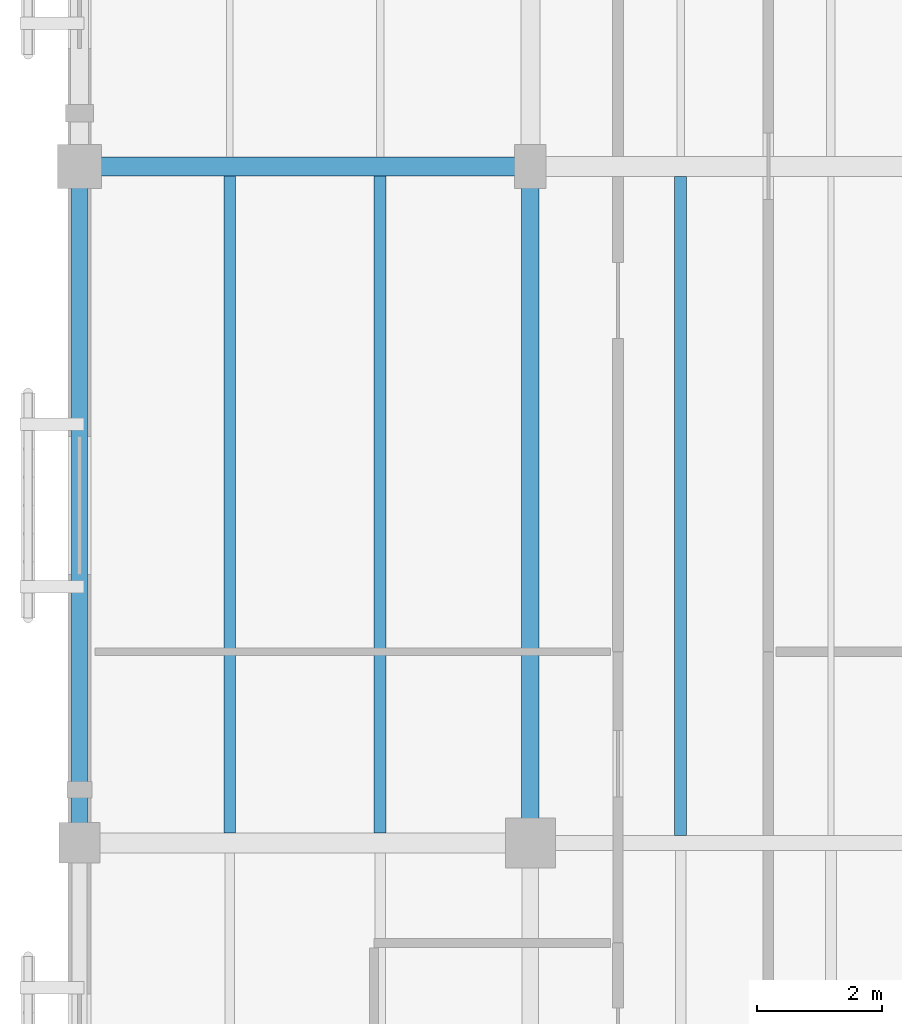
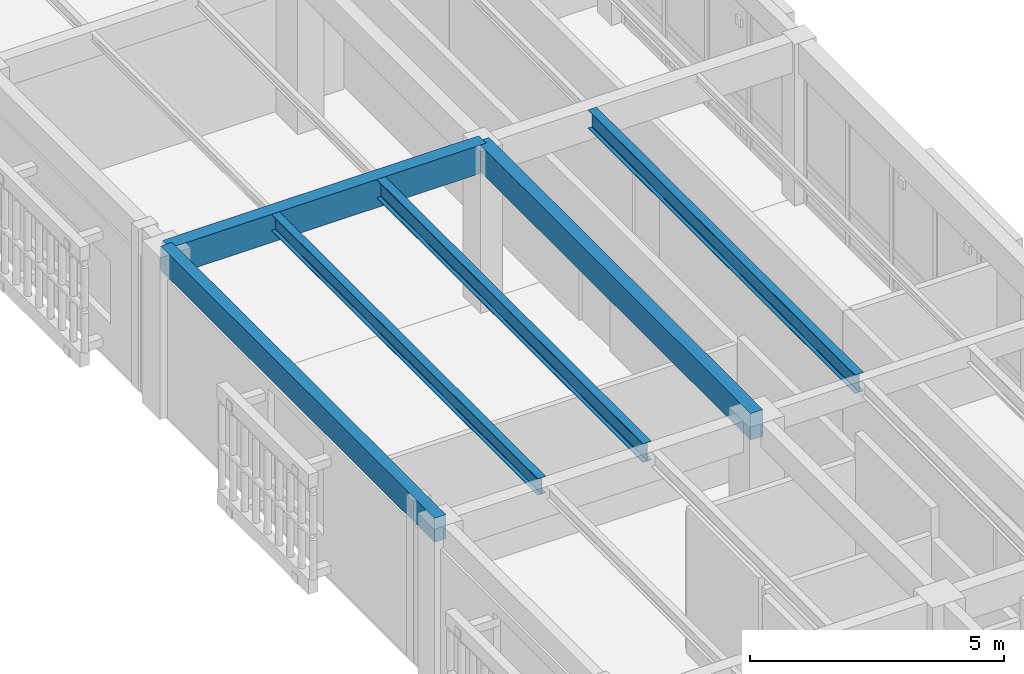
# One storey, part 33 of 170: 6 beams.
"""IFC4 building model written with IfcOpenShell, lengths in metres."""

from ifc_helpers import new_model, si_unit, direction, frame, origin, origin_2d, place, context, subcontext, project, spatial, rectangle, i_section, extrude, material, material_profile, profile_set, type_object, element, save


model = new_model("IFC4")

# Units and contexts
model_context = context("Model", 3, precision=1e-05, world=origin(), true_north=direction((0.0, 1.0)))
body_context = subcontext(model_context, "Body", "Model", "MODEL_VIEW")
ifc_project = project(units=[si_unit("LENGTHUNIT", "METRE"), si_unit("AREAUNIT", "SQUARE_METRE"), si_unit("VOLUMEUNIT", "CUBIC_METRE"), si_unit("PLANEANGLEUNIT", "RADIAN"), si_unit("MASSUNIT", "GRAM", prefix="KILO")], contexts=[model_context])

# Site, building, storey
site_placement = place(None, origin())
site = spatial("IfcSite", under=ifc_project, at=site_placement, CompositionType="ELEMENT")
building_placement = place(site_placement, origin())
building = spatial("IfcBuilding", under=site, at=building_placement, Name="Mazaris Harbour Polytechnic", CompositionType="ELEMENT")
storey_placement = place(building_placement, frame((0.0, 0.0, 5.39990234375)))
storey = spatial("IfcBuildingStorey", under=building, at=storey_placement, Name="L01", CompositionType="ELEMENT", Elevation=5.39990234375)

# Beams
ifc_material_1 = material(Name="Glulam GL32h", Category="wood")
ifc_material_profile_1 = material_profile(ifc_material_1, rectangle(XDim=0.260009765625, YDim=0.580078125, at=origin_2d()), Name="RECT260x580")
ifc_profile_set_1 = profile_set([ifc_material_profile_1], Name="Glulam GL32h")
beam_type_1 = type_object("IfcBeamType", Name="Glulam Girder 260x580 Exterior", PredefinedType="BEAM", material=ifc_profile_set_1)
beam_1_placement = place(storey_placement, frame((0.0, 43.199951171875, 3.60009765625), z_axis=(0.0, 1.0, 0.0), x_axis=(-1.0, 0.0, 0.0)))
element("IfcBeam", 1, at=beam_1_placement, inside=storey, type_object=beam_type_1, Name="V4 L01 Tie Girder 1701", PredefinedType="BEAM", context=body_context, shape_type="SweptSolid", body=[
    extrude(rectangle(XDim=0.260009765625, YDim=0.580078125, at=origin_2d()), origin(), (0.0, 0.0, 1.0), 10.800048828125),
])
ifc_material_2 = material(Name="Glulam GL32h", Category="wood")
ifc_material_profile_2 = material_profile(ifc_material_2, rectangle(XDim=0.280029296875, YDim=0.639892578125, at=origin_2d()), Name="RECT280x640")
ifc_profile_set_2 = profile_set([ifc_material_profile_2], Name="Glulam GL32h")
beam_type_2 = type_object("IfcBeamType", Name="Glulam Girder 280x640", PredefinedType="BEAM", material=ifc_profile_set_2)
beam_2_placement = place(storey_placement, frame((7.199951171875, 43.199951171875, 3.570068359375), z_axis=(0.0, 1.0, 0.0), x_axis=(-1.0, 0.0, 0.0)))
element("IfcBeam", 2, at=beam_2_placement, inside=storey, type_object=beam_type_2, Name="V4 L01 Tie Girder 1712", PredefinedType="BEAM", context=body_context, shape_type="SweptSolid", body=[
    extrude(rectangle(XDim=0.280029296875, YDim=0.639892578125, at=origin_2d()), origin(), (0.0, 0.0, 1.0), 10.800048828125),
])
ifc_material_3 = material(Name="Glulam GL32h", Category="wood")
ifc_material_profile_3 = material_profile(ifc_material_3, rectangle(XDim=0.300048828125, YDim=0.679931640625, at=origin_2d()), Name="RECT300x680")
ifc_profile_set_3 = profile_set([ifc_material_profile_3], Name="Glulam GL32h")
beam_type_3 = type_object("IfcBeamType", Name="Glulam Girder 300x680", PredefinedType="BEAM", material=ifc_profile_set_3)
beam_3_placement = place(storey_placement, frame((0.0, 54.0, 3.550048828125), z_axis=(1.0, 0.0, 0.0), x_axis=(0.0, 1.0, 0.0)))
element("IfcBeam", 3, at=beam_3_placement, inside=storey, type_object=beam_type_3, Name="V4 L01 Girder 1658", PredefinedType="BEAM", context=body_context, shape_type="SweptSolid", body=[
    extrude(rectangle(XDim=0.300048828125, YDim=0.679931640625, at=origin_2d()), origin(), (0.0, 0.0, 1.0), 7.199951171875),
])
ifc_material_4 = material(Name="Steel S355", Category="steel")
ifc_material_profile_4 = material_profile(ifc_material_4, i_section(OverallWidth=0.179931640625, OverallDepth=0.39990234375, WebThickness=0.008544921875, FlangeThickness=0.013427734375, FilletRadius=0.02099609375, at=origin_2d()), Name="IPE 400")
ifc_profile_set_4 = profile_set([ifc_material_profile_4], Name="Steel S355")
beam_type_4 = type_object("IfcBeamType", Name="Steel Joist IPE400", PredefinedType="JOIST", material=ifc_profile_set_4)
beam_4_placement = place(storey_placement, frame((2.39990234375, 43.360107421875, 3.690185546875), z_axis=(0.0, 1.0, 0.0), x_axis=(-1.0, 0.0, 0.0)))
element("IfcBeam", 4, at=beam_4_placement, inside=storey, type_object=beam_type_4, Name="V4 L01 Floor Joist 1783", PredefinedType="JOIST", context=body_context, shape_type="SweptSolid", body=[
    extrude(i_section(OverallWidth=0.179931640625, OverallDepth=0.39990234375, WebThickness=0.008544921875, FlangeThickness=0.013427734375, FilletRadius=0.02099609375, at=origin_2d()), origin(), (0.0, 0.0, 1.0), 10.489990234375),
])
ifc_material_5 = material(Name="Steel S355", Category="steel")
ifc_material_profile_5 = material_profile(ifc_material_5, i_section(OverallWidth=0.18994140625, OverallDepth=0.449951171875, WebThickness=0.009521484375, FlangeThickness=0.0146484375, FilletRadius=0.02099609375, at=origin_2d()), Name="IPE 450")
ifc_profile_set_5 = profile_set([ifc_material_profile_5], Name="Steel S355")
beam_type_5 = type_object("IfcBeamType", Name="Steel Joist IPE450", PredefinedType="JOIST", material=ifc_profile_set_5)
beam_5_placement = place(storey_placement, frame((4.800048828125, 43.360107421875, 3.6650390625), z_axis=(0.0, 1.0, 0.0), x_axis=(-1.0, 0.0, 0.0)))
element("IfcBeam", 5, at=beam_5_placement, inside=storey, type_object=beam_type_5, Name="V4 L01 Floor Joist 1784", PredefinedType="JOIST", context=body_context, shape_type="SweptSolid", body=[
    extrude(i_section(OverallWidth=0.18994140625, OverallDepth=0.449951171875, WebThickness=0.009521484375, FlangeThickness=0.0146484375, FilletRadius=0.02099609375, at=origin_2d()), origin(), (0.0, 0.0, 1.0), 10.489990234375),
])
beam_6_placement = place(storey_placement, frame((9.60009765625, 43.320068359375, 3.6650390625), z_axis=(0.0, 1.0, 0.0), x_axis=(-1.0, 0.0, 0.0)))
element("IfcBeam", 6, at=beam_6_placement, inside=storey, type_object=beam_type_5, Name="V4 L01 Floor Joist 1805", PredefinedType="JOIST", context=body_context, shape_type="SweptSolid", body=[
    extrude(i_section(OverallWidth=0.18994140625, OverallDepth=0.449951171875, WebThickness=0.009521484375, FlangeThickness=0.0146484375, FilletRadius=0.02099609375, at=origin_2d()), origin(), (0.0, 0.0, 1.0), 10.52001953125),
])

save(model, "model.ifc")
